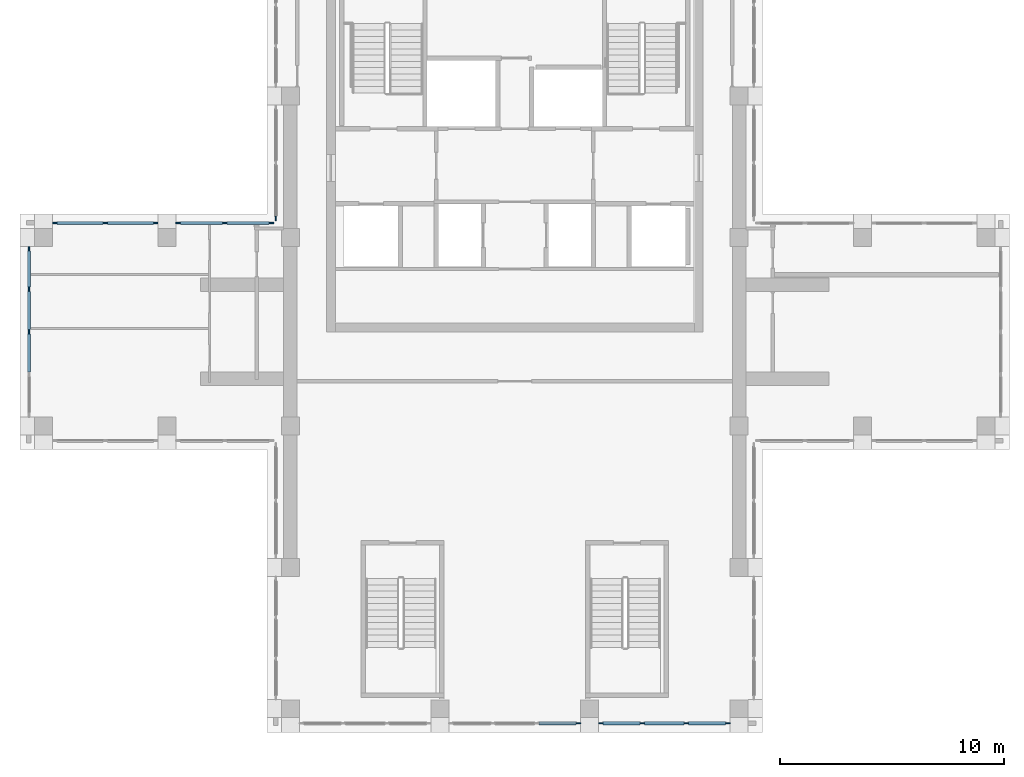
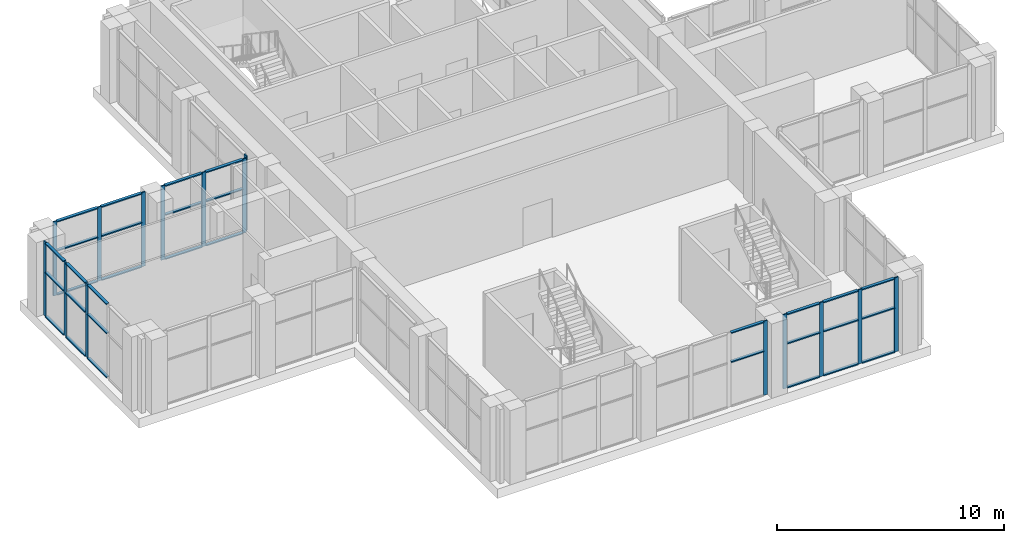
# One storey, part 3 of 15: 47 members, 6 elements without a shape of their own.
"""IFC4 building model written with IfcOpenShell, lengths in metres."""

from ifc_helpers import new_model, si_unit, direction, frame, origin, origin_2d, place, context, subcontext, project, spatial, rectangle, extrude, material, material_profile, profile_set, type_object, element, aggregate, save


model = new_model("IFC4")

# Units and contexts
model_context = context("Model", 3, precision=1e-05, world=origin(), true_north=direction((0.0, 1.0)))
body_context = subcontext(model_context, "Body", "Model", "MODEL_VIEW")
ifc_project = project(units=[si_unit("LENGTHUNIT", "METRE"), si_unit("AREAUNIT", "SQUARE_METRE"), si_unit("VOLUMEUNIT", "CUBIC_METRE"), si_unit("PLANEANGLEUNIT", "RADIAN"), si_unit("MASSUNIT", "GRAM", prefix="KILO")], contexts=[model_context])

# Site, building, storey
site_placement = place(None, origin())
site = spatial("IfcSite", under=ifc_project, at=site_placement, CompositionType="ELEMENT")
building_placement = place(site_placement, origin())
building = spatial("IfcBuilding", under=site, at=building_placement, Name="Vermilion Ogive Tower", CompositionType="ELEMENT")
storey_placement = place(building_placement, frame((0.0, 0.0, 293.85009765625)))
storey = spatial("IfcBuildingStorey", under=building, at=storey_placement, Name="L76", CompositionType="ELEMENT", Elevation=293.85009765625)

# Curtain wall, member
ifc_material_1 = material(Name="Low-iron laminated glazing in aluminium frame", Category="aluminium")
curtain_wall_type = type_object("IfcCurtainWallType", Name="Curtain wall CW3", PredefinedType="NOTDEFINED", material=ifc_material_1)
curtain_wall_1_placement = place(storey_placement, origin())
curtain_wall_1 = element("IfcCurtainWall", 1, at=curtain_wall_1_placement, inside=storey, type_object=curtain_wall_type, Name="CW3 glazing S2", PredefinedType="NOTDEFINED")
ifc_material_2 = material(Name="Aluminium mullion", Category="aluminium")
ifc_material_profile_1 = material_profile(ifc_material_2, rectangle(XDim=0.06005859375, YDim=0.199951171875, at=origin_2d()), Name="AL 60x200")
ifc_profile_set_1 = profile_set([ifc_material_profile_1], Name="Aluminium mullion")
member_type_1 = type_object("IfcMemberType", Name="CW3 mullion 60x200", PredefinedType="MULLION", material=ifc_profile_set_1)
member_1_placement = place(storey_placement, frame((2.833251953125, -13.25, 0.0), z_axis=(0.0, 0.0, 1.0), x_axis=(0.0, 1.0, 0.0)))
member_1 = element("IfcMember", 2, at=member_1_placement, type_object=member_type_1, Name="CW3-S2 mullion 4", PredefinedType="MULLION", context=body_context, shape_type="SweptSolid", body=[
    extrude(rectangle(XDim=0.06005859375, YDim=0.199951171875, at=origin_2d()), origin(), (0.0, 0.0, 1.0), 4.0),
])

# Curtain wall, members
curtain_wall_2_placement = place(storey_placement, origin())
curtain_wall_2 = element("IfcCurtainWall", 3, at=curtain_wall_2_placement, inside=storey, type_object=curtain_wall_type, Name="CW3 glazing S3", PredefinedType="NOTDEFINED")
member_2_placement = place(storey_placement, frame((3.833251953125, -13.25, 0.0), z_axis=(0.0, 0.0, 1.0), x_axis=(0.0, 1.0, 0.0)))
member_2 = element("IfcMember", 4, at=member_2_placement, type_object=member_type_1, Name="CW3-S3 mullion 1", PredefinedType="MULLION", context=body_context, shape_type="SweptSolid", body=[
    extrude(rectangle(XDim=0.06005859375, YDim=0.199951171875, at=origin_2d()), origin(), (0.0, 0.0, 1.0), 4.0),
])
member_3_placement = place(storey_placement, frame((5.68896484375, -13.25, 0.0), z_axis=(0.0, 0.0, 1.0), x_axis=(0.0, 1.0, 0.0)))
member_3 = element("IfcMember", 5, at=member_3_placement, type_object=member_type_1, Name="CW3-S3 mullion 2", PredefinedType="MULLION", context=body_context, shape_type="SweptSolid", body=[
    extrude(rectangle(XDim=0.06005859375, YDim=0.199951171875, at=origin_2d()), origin(), (0.0, 0.0, 1.0), 4.0),
])
member_4_placement = place(storey_placement, frame((7.64453125, -13.25, 0.0), z_axis=(0.0, 0.0, 1.0), x_axis=(0.0, 1.0, 0.0)))
member_4 = element("IfcMember", 6, at=member_4_placement, type_object=member_type_1, Name="CW3-S3 mullion 3", PredefinedType="MULLION", context=body_context, shape_type="SweptSolid", body=[
    extrude(rectangle(XDim=0.06005859375, YDim=0.199951171875, at=origin_2d()), origin(), (0.0, 0.0, 1.0), 4.0),
])
member_5_placement = place(storey_placement, frame((9.5, -13.25, 0.0), z_axis=(0.0, 0.0, 1.0), x_axis=(0.0, 1.0, 0.0)))
member_5 = element("IfcMember", 7, at=member_5_placement, type_object=member_type_1, Name="CW3-S3 mullion 4", PredefinedType="MULLION", context=body_context, shape_type="SweptSolid", body=[
    extrude(rectangle(XDim=0.06005859375, YDim=0.199951171875, at=origin_2d()), origin(), (0.0, 0.0, 1.0), 4.0),
])

# Curtain wall, member
curtain_wall_3_placement = place(storey_placement, origin())
curtain_wall_3 = element("IfcCurtainWall", 8, at=curtain_wall_3_placement, inside=storey, type_object=curtain_wall_type, Name="CW3 glazing X52", PredefinedType="NOTDEFINED")
member_6_placement = place(storey_placement, frame((-10.64990234375, 9.25, 0.0), z_axis=(0.0, 0.0, 1.0), x_axis=(1.0, 0.0, 0.0)))
member_6 = element("IfcMember", 9, at=member_6_placement, type_object=member_type_1, Name="CW3-X52 mullion 3", PredefinedType="MULLION", context=body_context, shape_type="SweptSolid", body=[
    extrude(rectangle(XDim=0.06005859375, YDim=0.199951171875, at=origin_2d()), origin(), (0.0, 0.0, 1.0), 4.0),
])
aggregate(curtain_wall_3, [member_6])

# Curtain wall, members
curtain_wall_4_placement = place(storey_placement, origin())
curtain_wall_4 = element("IfcCurtainWall", 10, at=curtain_wall_4_placement, inside=storey, type_object=curtain_wall_type, Name="CW3 glazing X61", PredefinedType="NOTDEFINED")
member_7_placement = place(storey_placement, frame((-10.85009765625, 9.050048828125, 0.0), z_axis=(0.0, 0.0, 1.0), x_axis=(0.0, -1.0, 0.0)))
member_7 = element("IfcMember", 11, at=member_7_placement, type_object=member_type_1, Name="CW3-X61 mullion 1", PredefinedType="MULLION", context=body_context, shape_type="SweptSolid", body=[
    extrude(rectangle(XDim=0.06005859375, YDim=0.199951171875, at=origin_2d()), origin(), (0.0, 0.0, 1.0), 4.0),
])
member_8_placement = place(storey_placement, frame((-12.925048828125, 9.050048828125, 0.0), z_axis=(0.0, 0.0, 1.0), x_axis=(0.0, -1.0, 0.0)))
member_8 = element("IfcMember", 12, at=member_8_placement, type_object=member_type_1, Name="CW3-X61 mullion 2", PredefinedType="MULLION", context=body_context, shape_type="SweptSolid", body=[
    extrude(rectangle(XDim=0.06005859375, YDim=0.199951171875, at=origin_2d()), origin(), (0.0, 0.0, 1.0), 4.0),
])
member_9_placement = place(storey_placement, frame((-15.0, 9.050048828125, 0.0), z_axis=(0.0, 0.0, 1.0), x_axis=(0.0, -1.0, 0.0)))
member_9 = element("IfcMember", 13, at=member_9_placement, type_object=member_type_1, Name="CW3-X61 mullion 3", PredefinedType="MULLION", context=body_context, shape_type="SweptSolid", body=[
    extrude(rectangle(XDim=0.06005859375, YDim=0.199951171875, at=origin_2d()), origin(), (0.0, 0.0, 1.0), 4.0),
])

curtain_wall_5_placement = place(storey_placement, origin())
curtain_wall_5 = element("IfcCurtainWall", 14, at=curtain_wall_5_placement, inside=storey, type_object=curtain_wall_type, Name="CW3 glazing X62", PredefinedType="NOTDEFINED")
member_10_placement = place(storey_placement, frame((-16.0, 9.050048828125, 0.0), z_axis=(0.0, 0.0, 1.0), x_axis=(0.0, -1.0, 0.0)))
member_10 = element("IfcMember", 15, at=member_10_placement, type_object=member_type_1, Name="CW3-X62 mullion 1", PredefinedType="MULLION", context=body_context, shape_type="SweptSolid", body=[
    extrude(rectangle(XDim=0.06005859375, YDim=0.199951171875, at=origin_2d()), origin(), (0.0, 0.0, 1.0), 4.0),
])
member_11_placement = place(storey_placement, frame((-18.25, 9.050048828125, 0.0), z_axis=(0.0, 0.0, 1.0), x_axis=(0.0, -1.0, 0.0)))
member_11 = element("IfcMember", 16, at=member_11_placement, type_object=member_type_1, Name="CW3-X62 mullion 2", PredefinedType="MULLION", context=body_context, shape_type="SweptSolid", body=[
    extrude(rectangle(XDim=0.06005859375, YDim=0.199951171875, at=origin_2d()), origin(), (0.0, 0.0, 1.0), 4.0),
])
member_12_placement = place(storey_placement, frame((-20.5, 9.050048828125, 0.0), z_axis=(0.0, 0.0, 1.0), x_axis=(0.0, -1.0, 0.0)))
member_12 = element("IfcMember", 17, at=member_12_placement, type_object=member_type_1, Name="CW3-X62 mullion 3", PredefinedType="MULLION", context=body_context, shape_type="SweptSolid", body=[
    extrude(rectangle(XDim=0.06005859375, YDim=0.199951171875, at=origin_2d()), origin(), (0.0, 0.0, 1.0), 4.0),
])

curtain_wall_6_placement = place(storey_placement, origin())
curtain_wall_6 = element("IfcCurtainWall", 18, at=curtain_wall_6_placement, inside=storey, type_object=curtain_wall_type, Name="CW3 glazing W1", PredefinedType="NOTDEFINED")
member_13_placement = place(storey_placement, frame((-21.64990234375, 7.89990234375, 0.0), z_axis=(0.0, 0.0, 1.0), x_axis=(1.0, 0.0, 0.0)))
member_13 = element("IfcMember", 19, at=member_13_placement, type_object=member_type_1, Name="CW3-W1 mullion 1", PredefinedType="MULLION", context=body_context, shape_type="SweptSolid", body=[
    extrude(rectangle(XDim=0.06005859375, YDim=0.199951171875, at=origin_2d()), origin(), (0.0, 0.0, 1.0), 4.0),
])
member_14_placement = place(storey_placement, frame((-21.64990234375, 6.10009765625, 0.0), z_axis=(0.0, 0.0, 1.0), x_axis=(1.0, 0.0, 0.0)))
member_14 = element("IfcMember", 20, at=member_14_placement, type_object=member_type_1, Name="CW3-W1 mullion 2", PredefinedType="MULLION", context=body_context, shape_type="SweptSolid", body=[
    extrude(rectangle(XDim=0.06005859375, YDim=0.199951171875, at=origin_2d()), origin(), (0.0, 0.0, 1.0), 4.0),
])
member_15_placement = place(storey_placement, frame((-21.64990234375, 4.199951171875, 0.0), z_axis=(0.0, 0.0, 1.0), x_axis=(1.0, 0.0, 0.0)))
member_15 = element("IfcMember", 21, at=member_15_placement, type_object=member_type_1, Name="CW3-W1 mullion 3", PredefinedType="MULLION", context=body_context, shape_type="SweptSolid", body=[
    extrude(rectangle(XDim=0.06005859375, YDim=0.199951171875, at=origin_2d()), origin(), (0.0, 0.0, 1.0), 4.0),
])

# Member
ifc_material_3 = material(Name="Aluminium transom", Category="aluminium")
ifc_material_profile_2 = material_profile(ifc_material_3, rectangle(XDim=0.14990234375, YDim=0.06005859375, at=origin_2d()), Name="AL 60x150")
ifc_profile_set_2 = profile_set([ifc_material_profile_2], Name="Aluminium transom")
member_type_2 = type_object("IfcMemberType", Name="CW3 transom 60x150", PredefinedType="USERDEFINED", material=ifc_profile_set_2)
member_16_placement = place(storey_placement, frame((1.077880859375, -13.25, 2.39990234375), z_axis=(1.0, 0.0, 0.0), x_axis=(0.0, 1.0, 0.0)))
member_16 = element("IfcMember", 22, at=member_16_placement, type_object=member_type_2, Name="CW3-S2 transom 3.2", ObjectType="TRANSOM", PredefinedType="USERDEFINED", context=body_context, shape_type="SweptSolid", body=[
    extrude(rectangle(XDim=0.14990234375, YDim=0.06005859375, at=origin_2d()), origin(), (0.0, 0.0, 1.0), 1.655517578125),
])

member_17_placement = place(storey_placement, frame((1.077880859375, -13.25, 3.969970703125), z_axis=(1.0, 0.0, 0.0), x_axis=(0.0, 1.0, 0.0)))
member_17 = element("IfcMember", 23, at=member_17_placement, type_object=member_type_2, Name="CW3-S2 transom 3.3", ObjectType="TRANSOM", PredefinedType="USERDEFINED", context=body_context, shape_type="SweptSolid", body=[
    extrude(rectangle(XDim=0.14990234375, YDim=0.06005859375, at=origin_2d()), origin(), (0.0, 0.0, 1.0), 1.655517578125),
])

aggregate(curtain_wall_1, [member_1, member_16, member_17])

member_18_placement = place(storey_placement, frame((3.933349609375, -13.25, 0.02978515625), z_axis=(1.0, 0.0, 0.0), x_axis=(0.0, 1.0, 0.0)))
member_18 = element("IfcMember", 24, at=member_18_placement, type_object=member_type_2, Name="CW3-S3 transom 1.1", ObjectType="TRANSOM", PredefinedType="USERDEFINED", context=body_context, shape_type="SweptSolid", body=[
    extrude(rectangle(XDim=0.14990234375, YDim=0.06005859375, at=origin_2d()), origin(), (0.0, 0.0, 1.0), 1.655517578125),
])

member_19_placement = place(storey_placement, frame((3.933349609375, -13.25, 2.39990234375), z_axis=(1.0, 0.0, 0.0), x_axis=(0.0, 1.0, 0.0)))
member_19 = element("IfcMember", 25, at=member_19_placement, type_object=member_type_2, Name="CW3-S3 transom 1.2", ObjectType="TRANSOM", PredefinedType="USERDEFINED", context=body_context, shape_type="SweptSolid", body=[
    extrude(rectangle(XDim=0.14990234375, YDim=0.06005859375, at=origin_2d()), origin(), (0.0, 0.0, 1.0), 1.655517578125),
])

member_20_placement = place(storey_placement, frame((3.933349609375, -13.25, 3.969970703125), z_axis=(1.0, 0.0, 0.0), x_axis=(0.0, 1.0, 0.0)))
member_20 = element("IfcMember", 26, at=member_20_placement, type_object=member_type_2, Name="CW3-S3 transom 1.3", ObjectType="TRANSOM", PredefinedType="USERDEFINED", context=body_context, shape_type="SweptSolid", body=[
    extrude(rectangle(XDim=0.14990234375, YDim=0.06005859375, at=origin_2d()), origin(), (0.0, 0.0, 1.0), 1.655517578125),
])

member_21_placement = place(storey_placement, frame((5.788818359375, -13.25, 0.02978515625), z_axis=(1.0, 0.0, 0.0), x_axis=(0.0, 1.0, 0.0)))
member_21 = element("IfcMember", 27, at=member_21_placement, type_object=member_type_2, Name="CW3-S3 transom 2.1", ObjectType="TRANSOM", PredefinedType="USERDEFINED", context=body_context, shape_type="SweptSolid", body=[
    extrude(rectangle(XDim=0.14990234375, YDim=0.06005859375, at=origin_2d()), origin(), (0.0, 0.0, 1.0), 1.755615234375),
])

member_22_placement = place(storey_placement, frame((5.788818359375, -13.25, 2.39990234375), z_axis=(1.0, 0.0, 0.0), x_axis=(0.0, 1.0, 0.0)))
member_22 = element("IfcMember", 28, at=member_22_placement, type_object=member_type_2, Name="CW3-S3 transom 2.2", ObjectType="TRANSOM", PredefinedType="USERDEFINED", context=body_context, shape_type="SweptSolid", body=[
    extrude(rectangle(XDim=0.14990234375, YDim=0.06005859375, at=origin_2d()), origin(), (0.0, 0.0, 1.0), 1.755615234375),
])

member_23_placement = place(storey_placement, frame((5.788818359375, -13.25, 3.969970703125), z_axis=(1.0, 0.0, 0.0), x_axis=(0.0, 1.0, 0.0)))
member_23 = element("IfcMember", 29, at=member_23_placement, type_object=member_type_2, Name="CW3-S3 transom 2.3", ObjectType="TRANSOM", PredefinedType="USERDEFINED", context=body_context, shape_type="SweptSolid", body=[
    extrude(rectangle(XDim=0.14990234375, YDim=0.06005859375, at=origin_2d()), origin(), (0.0, 0.0, 1.0), 1.755615234375),
])

member_24_placement = place(storey_placement, frame((7.744384765625, -13.25, 0.02978515625), z_axis=(1.0, 0.0, 0.0), x_axis=(0.0, 1.0, 0.0)))
member_24 = element("IfcMember", 30, at=member_24_placement, type_object=member_type_2, Name="CW3-S3 transom 3.1", ObjectType="TRANSOM", PredefinedType="USERDEFINED", context=body_context, shape_type="SweptSolid", body=[
    extrude(rectangle(XDim=0.14990234375, YDim=0.06005859375, at=origin_2d()), origin(), (0.0, 0.0, 1.0), 1.655517578125),
])

member_25_placement = place(storey_placement, frame((7.744384765625, -13.25, 2.39990234375), z_axis=(1.0, 0.0, 0.0), x_axis=(0.0, 1.0, 0.0)))
member_25 = element("IfcMember", 31, at=member_25_placement, type_object=member_type_2, Name="CW3-S3 transom 3.2", ObjectType="TRANSOM", PredefinedType="USERDEFINED", context=body_context, shape_type="SweptSolid", body=[
    extrude(rectangle(XDim=0.14990234375, YDim=0.06005859375, at=origin_2d()), origin(), (0.0, 0.0, 1.0), 1.655517578125),
])

member_26_placement = place(storey_placement, frame((7.744384765625, -13.25, 3.969970703125), z_axis=(1.0, 0.0, 0.0), x_axis=(0.0, 1.0, 0.0)))
member_26 = element("IfcMember", 32, at=member_26_placement, type_object=member_type_2, Name="CW3-S3 transom 3.3", ObjectType="TRANSOM", PredefinedType="USERDEFINED", context=body_context, shape_type="SweptSolid", body=[
    extrude(rectangle(XDim=0.14990234375, YDim=0.06005859375, at=origin_2d()), origin(), (0.0, 0.0, 1.0), 1.655517578125),
])

aggregate(curtain_wall_2, [member_2, member_3, member_4, member_5, member_18, member_19, member_20, member_21, member_22, member_23, member_24, member_25, member_26])

member_27_placement = place(storey_placement, frame((-10.949951171875, 9.050048828125, 0.02978515625), z_axis=(-1.0, 0.0, 0.0), x_axis=(0.0, -1.0, 0.0)))
member_27 = element("IfcMember", 33, at=member_27_placement, type_object=member_type_2, Name="CW3-X61 transom 1.1", ObjectType="TRANSOM", PredefinedType="USERDEFINED", context=body_context, shape_type="SweptSolid", body=[
    extrude(rectangle(XDim=0.14990234375, YDim=0.06005859375, at=origin_2d()), origin(), (0.0, 0.0, 1.0), 1.875),
])

member_28_placement = place(storey_placement, frame((-10.949951171875, 9.050048828125, 2.39990234375), z_axis=(-1.0, 0.0, 0.0), x_axis=(0.0, -1.0, 0.0)))
member_28 = element("IfcMember", 34, at=member_28_placement, type_object=member_type_2, Name="CW3-X61 transom 1.2", ObjectType="TRANSOM", PredefinedType="USERDEFINED", context=body_context, shape_type="SweptSolid", body=[
    extrude(rectangle(XDim=0.14990234375, YDim=0.06005859375, at=origin_2d()), origin(), (0.0, 0.0, 1.0), 1.875),
])

member_29_placement = place(storey_placement, frame((-10.949951171875, 9.050048828125, 3.969970703125), z_axis=(-1.0, 0.0, 0.0), x_axis=(0.0, -1.0, 0.0)))
member_29 = element("IfcMember", 35, at=member_29_placement, type_object=member_type_2, Name="CW3-X61 transom 1.3", ObjectType="TRANSOM", PredefinedType="USERDEFINED", context=body_context, shape_type="SweptSolid", body=[
    extrude(rectangle(XDim=0.14990234375, YDim=0.06005859375, at=origin_2d()), origin(), (0.0, 0.0, 1.0), 1.875),
])

member_30_placement = place(storey_placement, frame((-13.02490234375, 9.050048828125, 0.02978515625), z_axis=(-1.0, 0.0, 0.0), x_axis=(0.0, -1.0, 0.0)))
member_30 = element("IfcMember", 36, at=member_30_placement, type_object=member_type_2, Name="CW3-X61 transom 2.1", ObjectType="TRANSOM", PredefinedType="USERDEFINED", context=body_context, shape_type="SweptSolid", body=[
    extrude(rectangle(XDim=0.14990234375, YDim=0.06005859375, at=origin_2d()), origin(), (0.0, 0.0, 1.0), 1.875),
])

member_31_placement = place(storey_placement, frame((-13.02490234375, 9.050048828125, 2.39990234375), z_axis=(-1.0, 0.0, 0.0), x_axis=(0.0, -1.0, 0.0)))
member_31 = element("IfcMember", 37, at=member_31_placement, type_object=member_type_2, Name="CW3-X61 transom 2.2", ObjectType="TRANSOM", PredefinedType="USERDEFINED", context=body_context, shape_type="SweptSolid", body=[
    extrude(rectangle(XDim=0.14990234375, YDim=0.06005859375, at=origin_2d()), origin(), (0.0, 0.0, 1.0), 1.875),
])

member_32_placement = place(storey_placement, frame((-13.02490234375, 9.050048828125, 3.969970703125), z_axis=(-1.0, 0.0, 0.0), x_axis=(0.0, -1.0, 0.0)))
member_32 = element("IfcMember", 38, at=member_32_placement, type_object=member_type_2, Name="CW3-X61 transom 2.3", ObjectType="TRANSOM", PredefinedType="USERDEFINED", context=body_context, shape_type="SweptSolid", body=[
    extrude(rectangle(XDim=0.14990234375, YDim=0.06005859375, at=origin_2d()), origin(), (0.0, 0.0, 1.0), 1.875),
])

aggregate(curtain_wall_4, [member_7, member_8, member_9, member_27, member_28, member_29, member_30, member_31, member_32])

member_33_placement = place(storey_placement, frame((-16.10009765625, 9.050048828125, 0.02978515625), z_axis=(-1.0, 0.0, 0.0), x_axis=(0.0, -1.0, 0.0)))
member_33 = element("IfcMember", 39, at=member_33_placement, type_object=member_type_2, Name="CW3-X62 transom 1.1", ObjectType="TRANSOM", PredefinedType="USERDEFINED", context=body_context, shape_type="SweptSolid", body=[
    extrude(rectangle(XDim=0.14990234375, YDim=0.06005859375, at=origin_2d()), origin(), (0.0, 0.0, 1.0), 2.0498046875),
])

member_34_placement = place(storey_placement, frame((-16.10009765625, 9.050048828125, 2.39990234375), z_axis=(-1.0, 0.0, 0.0), x_axis=(0.0, -1.0, 0.0)))
member_34 = element("IfcMember", 40, at=member_34_placement, type_object=member_type_2, Name="CW3-X62 transom 1.2", ObjectType="TRANSOM", PredefinedType="USERDEFINED", context=body_context, shape_type="SweptSolid", body=[
    extrude(rectangle(XDim=0.14990234375, YDim=0.06005859375, at=origin_2d()), origin(), (0.0, 0.0, 1.0), 2.0498046875),
])

member_35_placement = place(storey_placement, frame((-16.10009765625, 9.050048828125, 3.969970703125), z_axis=(-1.0, 0.0, 0.0), x_axis=(0.0, -1.0, 0.0)))
member_35 = element("IfcMember", 41, at=member_35_placement, type_object=member_type_2, Name="CW3-X62 transom 1.3", ObjectType="TRANSOM", PredefinedType="USERDEFINED", context=body_context, shape_type="SweptSolid", body=[
    extrude(rectangle(XDim=0.14990234375, YDim=0.06005859375, at=origin_2d()), origin(), (0.0, 0.0, 1.0), 2.0498046875),
])

member_36_placement = place(storey_placement, frame((-18.35009765625, 9.050048828125, 0.02978515625), z_axis=(-1.0, 0.0, 0.0), x_axis=(0.0, -1.0, 0.0)))
member_36 = element("IfcMember", 42, at=member_36_placement, type_object=member_type_2, Name="CW3-X62 transom 2.1", ObjectType="TRANSOM", PredefinedType="USERDEFINED", context=body_context, shape_type="SweptSolid", body=[
    extrude(rectangle(XDim=0.14990234375, YDim=0.06005859375, at=origin_2d()), origin(), (0.0, 0.0, 1.0), 2.0498046875),
])

member_37_placement = place(storey_placement, frame((-18.35009765625, 9.050048828125, 2.39990234375), z_axis=(-1.0, 0.0, 0.0), x_axis=(0.0, -1.0, 0.0)))
member_37 = element("IfcMember", 43, at=member_37_placement, type_object=member_type_2, Name="CW3-X62 transom 2.2", ObjectType="TRANSOM", PredefinedType="USERDEFINED", context=body_context, shape_type="SweptSolid", body=[
    extrude(rectangle(XDim=0.14990234375, YDim=0.06005859375, at=origin_2d()), origin(), (0.0, 0.0, 1.0), 2.0498046875),
])

member_38_placement = place(storey_placement, frame((-18.35009765625, 9.050048828125, 3.969970703125), z_axis=(-1.0, 0.0, 0.0), x_axis=(0.0, -1.0, 0.0)))
member_38 = element("IfcMember", 44, at=member_38_placement, type_object=member_type_2, Name="CW3-X62 transom 2.3", ObjectType="TRANSOM", PredefinedType="USERDEFINED", context=body_context, shape_type="SweptSolid", body=[
    extrude(rectangle(XDim=0.14990234375, YDim=0.06005859375, at=origin_2d()), origin(), (0.0, 0.0, 1.0), 2.0498046875),
])

aggregate(curtain_wall_5, [member_10, member_11, member_12, member_33, member_34, member_35, member_36, member_37, member_38])

member_39_placement = place(storey_placement, frame((-21.64990234375, 7.800048828125, 0.02978515625), z_axis=(0.0, -1.0, 0.0), x_axis=(1.0, 0.0, 0.0)))
member_39 = element("IfcMember", 45, at=member_39_placement, type_object=member_type_2, Name="CW3-W1 transom 1.1", ObjectType="TRANSOM", PredefinedType="USERDEFINED", context=body_context, shape_type="SweptSolid", body=[
    extrude(rectangle(XDim=0.14990234375, YDim=0.06005859375, at=origin_2d()), origin(), (0.0, 0.0, 1.0), 1.60009765625),
])

member_40_placement = place(storey_placement, frame((-21.64990234375, 7.800048828125, 2.39990234375), z_axis=(0.0, -1.0, 0.0), x_axis=(1.0, 0.0, 0.0)))
member_40 = element("IfcMember", 46, at=member_40_placement, type_object=member_type_2, Name="CW3-W1 transom 1.2", ObjectType="TRANSOM", PredefinedType="USERDEFINED", context=body_context, shape_type="SweptSolid", body=[
    extrude(rectangle(XDim=0.14990234375, YDim=0.06005859375, at=origin_2d()), origin(), (0.0, 0.0, 1.0), 1.60009765625),
])

member_41_placement = place(storey_placement, frame((-21.64990234375, 7.800048828125, 3.969970703125), z_axis=(0.0, -1.0, 0.0), x_axis=(1.0, 0.0, 0.0)))
member_41 = element("IfcMember", 47, at=member_41_placement, type_object=member_type_2, Name="CW3-W1 transom 1.3", ObjectType="TRANSOM", PredefinedType="USERDEFINED", context=body_context, shape_type="SweptSolid", body=[
    extrude(rectangle(XDim=0.14990234375, YDim=0.06005859375, at=origin_2d()), origin(), (0.0, 0.0, 1.0), 1.60009765625),
])

member_42_placement = place(storey_placement, frame((-21.64990234375, 6.0, 0.02978515625), z_axis=(0.0, -1.0, 0.0), x_axis=(1.0, 0.0, 0.0)))
member_42 = element("IfcMember", 48, at=member_42_placement, type_object=member_type_2, Name="CW3-W1 transom 2.1", ObjectType="TRANSOM", PredefinedType="USERDEFINED", context=body_context, shape_type="SweptSolid", body=[
    extrude(rectangle(XDim=0.14990234375, YDim=0.06005859375, at=origin_2d()), origin(), (0.0, 0.0, 1.0), 1.699951171875),
])

member_43_placement = place(storey_placement, frame((-21.64990234375, 6.0, 2.39990234375), z_axis=(0.0, -1.0, 0.0), x_axis=(1.0, 0.0, 0.0)))
member_43 = element("IfcMember", 49, at=member_43_placement, type_object=member_type_2, Name="CW3-W1 transom 2.2", ObjectType="TRANSOM", PredefinedType="USERDEFINED", context=body_context, shape_type="SweptSolid", body=[
    extrude(rectangle(XDim=0.14990234375, YDim=0.06005859375, at=origin_2d()), origin(), (0.0, 0.0, 1.0), 1.699951171875),
])

member_44_placement = place(storey_placement, frame((-21.64990234375, 6.0, 3.969970703125), z_axis=(0.0, -1.0, 0.0), x_axis=(1.0, 0.0, 0.0)))
member_44 = element("IfcMember", 50, at=member_44_placement, type_object=member_type_2, Name="CW3-W1 transom 2.3", ObjectType="TRANSOM", PredefinedType="USERDEFINED", context=body_context, shape_type="SweptSolid", body=[
    extrude(rectangle(XDim=0.14990234375, YDim=0.06005859375, at=origin_2d()), origin(), (0.0, 0.0, 1.0), 1.699951171875),
])

member_45_placement = place(storey_placement, frame((-21.64990234375, 4.10009765625, 0.02978515625), z_axis=(0.0, -1.0, 0.0), x_axis=(1.0, 0.0, 0.0)))
member_45 = element("IfcMember", 51, at=member_45_placement, type_object=member_type_2, Name="CW3-W1 transom 3.1", ObjectType="TRANSOM", PredefinedType="USERDEFINED", context=body_context, shape_type="SweptSolid", body=[
    extrude(rectangle(XDim=0.14990234375, YDim=0.06005859375, at=origin_2d()), origin(), (0.0, 0.0, 1.0), 1.7001953125),
])

member_46_placement = place(storey_placement, frame((-21.64990234375, 4.10009765625, 2.39990234375), z_axis=(0.0, -1.0, 0.0), x_axis=(1.0, 0.0, 0.0)))
member_46 = element("IfcMember", 52, at=member_46_placement, type_object=member_type_2, Name="CW3-W1 transom 3.2", ObjectType="TRANSOM", PredefinedType="USERDEFINED", context=body_context, shape_type="SweptSolid", body=[
    extrude(rectangle(XDim=0.14990234375, YDim=0.06005859375, at=origin_2d()), origin(), (0.0, 0.0, 1.0), 1.7001953125),
])

member_47_placement = place(storey_placement, frame((-21.64990234375, 4.10009765625, 3.969970703125), z_axis=(0.0, -1.0, 0.0), x_axis=(1.0, 0.0, 0.0)))
member_47 = element("IfcMember", 53, at=member_47_placement, type_object=member_type_2, Name="CW3-W1 transom 3.3", ObjectType="TRANSOM", PredefinedType="USERDEFINED", context=body_context, shape_type="SweptSolid", body=[
    extrude(rectangle(XDim=0.14990234375, YDim=0.06005859375, at=origin_2d()), origin(), (0.0, 0.0, 1.0), 1.7001953125),
])

aggregate(curtain_wall_6, [member_13, member_14, member_15, member_39, member_40, member_41, member_42, member_43, member_44, member_45, member_46, member_47])

save(model, "model.ifc")
